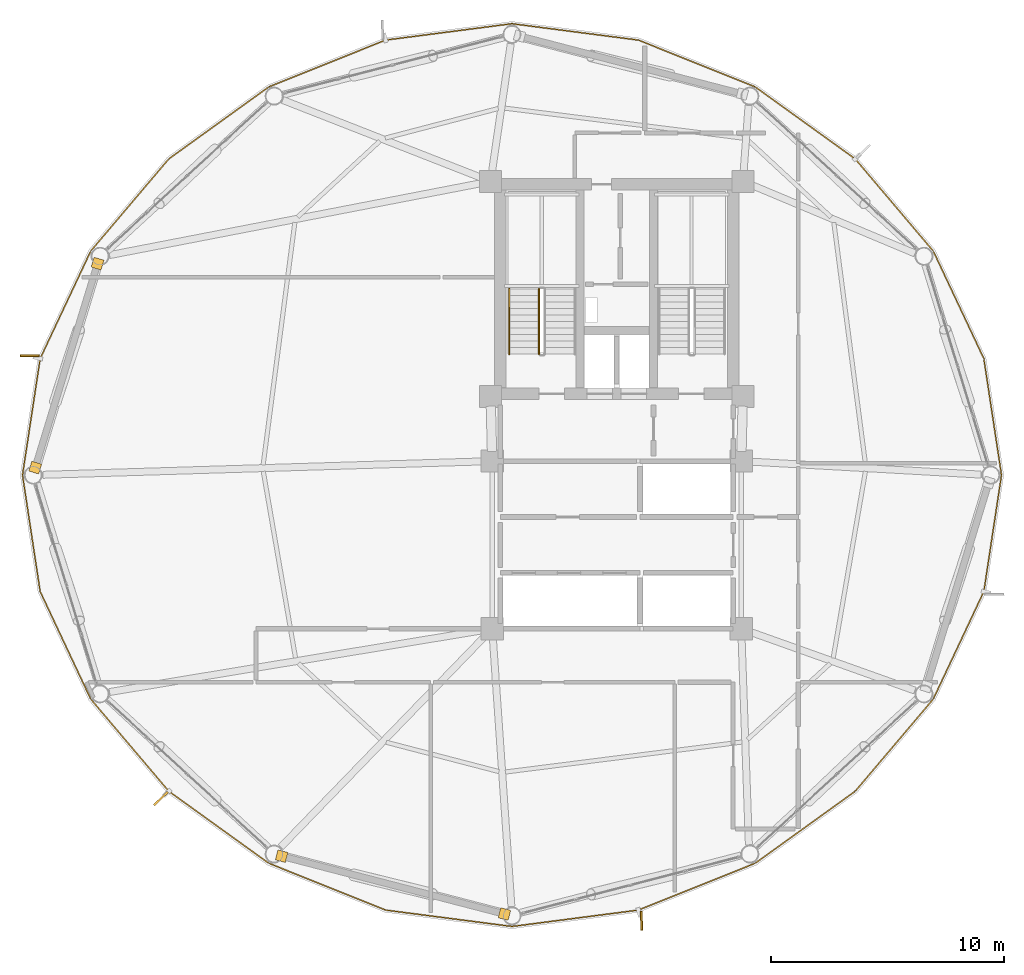
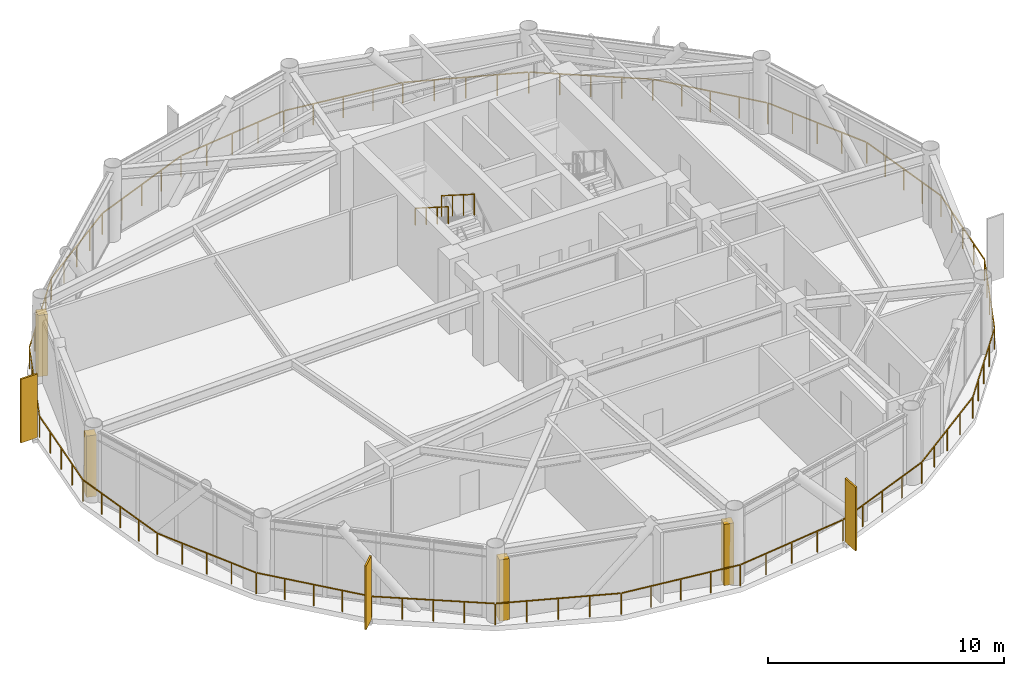
# One storey, part 22 of 24: 4 coverings, 3 railings, 3 shading devices.
"""IFC4 building model written with IfcOpenShell, lengths in metres."""

from ifc_helpers import new_model, si_unit, direction, frame, origin, origin_2d, place, context, subcontext, project, spatial, rectangle, extrude, source, transform, mapped, material, layer, layer_set, type_object, type_shapes, element, save


model = new_model("IFC4")

# Units and contexts
model_context = context("Model", 3, precision=1e-05, world=origin(), true_north=direction((0.0, 1.0)))
body_context = subcontext(model_context, "Body", "Model", "MODEL_VIEW")
ifc_project = project(units=[si_unit("LENGTHUNIT", "METRE"), si_unit("AREAUNIT", "SQUARE_METRE"), si_unit("VOLUMEUNIT", "CUBIC_METRE"), si_unit("PLANEANGLEUNIT", "RADIAN"), si_unit("MASSUNIT", "GRAM", prefix="KILO")], contexts=[model_context])

# Site, building, storey
site_placement = place(None, origin())
site = spatial("IfcSite", under=ifc_project, at=site_placement, CompositionType="ELEMENT")
building_placement = place(site_placement, origin())
building = spatial("IfcBuilding", under=site, at=building_placement, Name="Varnakorn Sky Granary", CompositionType="ELEMENT")
storey_placement = place(building_placement, frame((0.0, 0.0, 161.699951171875)))
storey = spatial("IfcBuildingStorey", under=building, at=storey_placement, Name="L40", CompositionType="ELEMENT", Elevation=161.699951171875)

# Railings
ifc_material_1 = material(Name="Anodised Bronze Aluminium Alloy 6063-T6", Category="aluminium")
railing_type_1 = type_object("IfcRailingType", Name="RL-BAL-1120", PredefinedType="BALUSTRADE", material=ifc_material_1)
railing_1_placement = place(storey_placement, frame((19.531982421875, 0.0, 0.0)))
element("IfcRailing", 1, at=railing_1_placement, inside=storey, type_object=railing_type_1, Name="Perimeter Slab-Edge Safety Guard L40", PredefinedType="BALUSTRADE", context=body_context, shape_type="SweptSolid", body=[
    extrude(rectangle(XDim=0.048095703125, YDim=0.048095703125, at=origin_2d()), frame((-0.004150390625, -0.027587890625, 1.09619140625), z_axis=(-0.149998257085, -0.988686261092, 0.0), x_axis=(0.988686261092, -0.149998257085, 0.0)), (0.0, 0.0, 1.0), 5.005859375),
    extrude(rectangle(XDim=0.048095703125, YDim=0.048095703125, at=origin_2d()), frame((-0.771240234375, -5.030029296875, 1.09619140625), z_axis=(-0.425529918755, -0.904944356435, 0.0), x_axis=(0.904944356435, -0.425529918755, 0.0)), (0.0, 0.0, 1.0), 5.05029296875),
    extrude(rectangle(XDim=0.048095703125, YDim=0.048095703125, at=origin_2d()), frame((-2.9501953125, -9.64697265625, 1.09619140625), z_axis=(-0.646279763762, -0.763100561494, 0.0), x_axis=(0.763100561494, -0.646279763762, 0.0)), (0.0, 0.0, 1.0), 5.131103515625),
    extrude(rectangle(XDim=0.048095703125, YDim=0.048095703125, at=origin_2d()), frame((-6.30712890625, -13.60009765625, 1.09619140625), z_axis=(-0.811506356452, -0.584343591937, 0.0), x_axis=(0.584343591937, -0.811506356452, 0.0)), (0.0, 0.0, 1.0), 5.2392578125),
    extrude(rectangle(XDim=0.048095703125, YDim=0.048095703125, at=origin_2d()), frame((-10.607421875, -16.6884765625, 1.09619140625), z_axis=(-0.928183637822, -0.37212247242, 0.0), x_axis=(0.37212247242, -0.928183637822, 0.0)), (0.0, 0.0, 1.0), 5.35009765625),
    extrude(rectangle(XDim=0.048095703125, YDim=0.048095703125, at=origin_2d()), frame((-15.627197265625, -18.693359375, 1.09619140625), z_axis=(-0.991694087252, -0.128618961703, 0.0), x_axis=(0.128618961703, -0.991694087252, 0.0)), (0.0, 0.0, 1.0), 5.422119140625),
    extrude(rectangle(XDim=0.048095703125, YDim=0.048095703125, at=origin_2d()), frame((-21.059814453125, -19.390625, 1.09619140625), z_axis=(-0.991694087252, 0.128618961703, 0.0), x_axis=(-0.128618961703, -0.991694087252, 0.0)), (0.0, 0.0, 1.0), 5.422119140625),
    extrude(rectangle(XDim=0.048095703125, YDim=0.048095703125, at=origin_2d()), frame((-26.490478515625, -18.67919921875, 1.09619140625), z_axis=(-0.928183637822, 0.37212247242, 0.0), x_axis=(-0.37212247242, -0.928183637822, 0.0)), (0.0, 0.0, 1.0), 5.35009765625),
    extrude(rectangle(XDim=0.048095703125, YDim=0.048095703125, at=origin_2d()), frame((-31.505126953125, -16.66162109375, 1.09619140625), z_axis=(-0.811506356452, 0.584343591937, 0.0), x_axis=(-0.584343591937, -0.811506356452, 0.0)), (0.0, 0.0, 1.0), 5.2392578125),
    extrude(rectangle(XDim=0.048095703125, YDim=0.048095703125, at=origin_2d()), frame((-35.797607421875, -13.562255859375, 1.09619140625), z_axis=(-0.646279763762, 0.763100561494, 0.0), x_axis=(-0.763100561494, -0.646279763762, 0.0)), (0.0, 0.0, 1.0), 5.131103515625),
    extrude(rectangle(XDim=0.048095703125, YDim=0.048095703125, at=origin_2d()), frame((-39.143798828125, -9.60009765625, 1.09619140625), z_axis=(-0.425529918755, 0.904944356435, 0.0), x_axis=(-0.904944356435, -0.425529918755, 0.0)), (0.0, 0.0, 1.0), 5.05029296875),
    extrude(rectangle(XDim=0.048095703125, YDim=0.048095703125, at=origin_2d()), frame((-41.308837890625, -4.97705078125, 1.09619140625), z_axis=(-0.149998257085, 0.988686261092, 0.0), x_axis=(-0.988686261092, -0.149998257085, 0.0)), (0.0, 0.0, 1.0), 5.005859375),
    extrude(rectangle(XDim=0.048095703125, YDim=0.048095703125, at=origin_2d()), frame((-42.059814453125, 0.027587890625, 1.09619140625), z_axis=(0.149998257085, 0.988686261092, 0.0), x_axis=(-0.988686261092, 0.149998257085, 0.0)), (0.0, 0.0, 1.0), 5.005859375),
    extrude(rectangle(XDim=0.048095703125, YDim=0.048095703125, at=origin_2d()), frame((-41.292724609375, 5.030029296875, 1.09619140625), z_axis=(0.425529918755, 0.904944356435, 0.0), x_axis=(-0.904944356435, 0.425529918755, 0.0)), (0.0, 0.0, 1.0), 5.05029296875),
    extrude(rectangle(XDim=0.048095703125, YDim=0.048095703125, at=origin_2d()), frame((-39.11376953125, 9.64697265625, 1.09619140625), z_axis=(0.646279763762, 0.763100561494, 0.0), x_axis=(-0.763100561494, 0.646279763762, 0.0)), (0.0, 0.0, 1.0), 5.131103515625),
    extrude(rectangle(XDim=0.048095703125, YDim=0.048095703125, at=origin_2d()), frame((-35.7568359375, 13.60009765625, 1.09619140625), z_axis=(0.811506356452, 0.584343591937, 0.0), x_axis=(-0.584343591937, 0.811506356452, 0.0)), (0.0, 0.0, 1.0), 5.2392578125),
    extrude(rectangle(XDim=0.048095703125, YDim=0.048095703125, at=origin_2d()), frame((-31.45654296875, 16.6884765625, 1.09619140625), z_axis=(0.928183637822, 0.37212247242, 0.0), x_axis=(-0.37212247242, 0.928183637822, 0.0)), (0.0, 0.0, 1.0), 5.35009765625),
    extrude(rectangle(XDim=0.048095703125, YDim=0.048095703125, at=origin_2d()), frame((-26.436767578125, 18.693359375, 1.09619140625), z_axis=(0.991694087252, 0.128618961703, 0.0), x_axis=(-0.128618961703, 0.991694087252, 0.0)), (0.0, 0.0, 1.0), 5.422119140625),
    extrude(rectangle(XDim=0.048095703125, YDim=0.048095703125, at=origin_2d()), frame((-21.004150390625, 19.390625, 1.09619140625), z_axis=(0.991694087252, -0.128618961703, 0.0), x_axis=(0.128618961703, 0.991694087252, 0.0)), (0.0, 0.0, 1.0), 5.422119140625),
    extrude(rectangle(XDim=0.048095703125, YDim=0.048095703125, at=origin_2d()), frame((-15.573486328125, 18.67919921875, 1.09619140625), z_axis=(0.928183637822, -0.37212247242, 0.0), x_axis=(0.37212247242, 0.928183637822, 0.0)), (0.0, 0.0, 1.0), 5.35009765625),
    extrude(rectangle(XDim=0.048095703125, YDim=0.048095703125, at=origin_2d()), frame((-10.558837890625, 16.66162109375, 1.09619140625), z_axis=(0.811506356452, -0.584343591937, 0.0), x_axis=(0.584343591937, 0.811506356452, 0.0)), (0.0, 0.0, 1.0), 5.2392578125),
    extrude(rectangle(XDim=0.048095703125, YDim=0.048095703125, at=origin_2d()), frame((-6.266357421875, 13.562255859375, 1.09619140625), z_axis=(0.646279763762, -0.763100561494, 0.0), x_axis=(0.763100561494, 0.646279763762, 0.0)), (0.0, 0.0, 1.0), 5.131103515625),
    extrude(rectangle(XDim=0.048095703125, YDim=0.048095703125, at=origin_2d()), frame((-2.920166015625, 9.60009765625, 1.09619140625), z_axis=(0.425529918755, -0.904944356435, 0.0), x_axis=(0.904944356435, 0.425529918755, 0.0)), (0.0, 0.0, 1.0), 5.05029296875),
    extrude(rectangle(XDim=0.048095703125, YDim=0.048095703125, at=origin_2d()), frame((-0.755126953125, 4.97705078125, 1.09619140625), z_axis=(0.149998257085, -0.988686261092, 0.0), x_axis=(0.988686261092, 0.149998257085, 0.0)), (0.0, 0.0, 1.0), 5.005859375),
    extrude(rectangle(XDim=0.0419921875, YDim=0.0419921875, at=origin_2d()), origin(), (0.0, 0.0, 1.0), 1.068115234375),
    extrude(rectangle(XDim=0.0419921875, YDim=0.0419921875, at=origin_2d()), frame((-0.18994140625, -1.251220703125, 0.0)), (0.0, 0.0, 1.0), 1.068115234375),
    extrude(rectangle(XDim=0.0419921875, YDim=0.0419921875, at=origin_2d()), frame((-0.379638671875, -2.50244140625, 0.0)), (0.0, 0.0, 1.0), 1.068115234375),
    extrude(rectangle(XDim=0.0419921875, YDim=0.0419921875, at=origin_2d()), frame((-0.5693359375, -3.75341796875, 0.0)), (0.0, 0.0, 1.0), 1.068115234375),
    extrude(rectangle(XDim=0.0419921875, YDim=0.0419921875, at=origin_2d()), frame((-0.75927734375, -5.004638671875, 0.0)), (0.0, 0.0, 1.0), 1.068115234375),
    extrude(rectangle(XDim=0.0419921875, YDim=0.0419921875, at=origin_2d()), frame((-1.302490234375, -6.159912109375, 0.0)), (0.0, 0.0, 1.0), 1.068115234375),
    extrude(rectangle(XDim=0.0419921875, YDim=0.0419921875, at=origin_2d()), frame((-1.845703125, -7.31494140625, 0.0)), (0.0, 0.0, 1.0), 1.068115234375),
    extrude(rectangle(XDim=0.0419921875, YDim=0.0419921875, at=origin_2d()), frame((-2.388916015625, -8.47021484375, 0.0)), (0.0, 0.0, 1.0), 1.068115234375),
    extrude(rectangle(XDim=0.0419921875, YDim=0.0419921875, at=origin_2d()), frame((-2.93212890625, -9.62548828125, 0.0)), (0.0, 0.0, 1.0), 1.068115234375),
    extrude(rectangle(XDim=0.0419921875, YDim=0.0419921875, at=origin_2d()), frame((-3.770263671875, -10.614990234375, 0.0)), (0.0, 0.0, 1.0), 1.068115234375),
    extrude(rectangle(XDim=0.0419921875, YDim=0.0419921875, at=origin_2d()), frame((-4.6083984375, -11.6044921875, 0.0)), (0.0, 0.0, 1.0), 1.068115234375),
    extrude(rectangle(XDim=0.0419921875, YDim=0.0419921875, at=origin_2d()), frame((-5.4462890625, -12.59423828125, 0.0)), (0.0, 0.0, 1.0), 1.068115234375),
    extrude(rectangle(XDim=0.0419921875, YDim=0.0419921875, at=origin_2d()), frame((-6.284423828125, -13.583740234375, 0.0)), (0.0, 0.0, 1.0), 1.068115234375),
    extrude(rectangle(XDim=0.0419921875, YDim=0.0419921875, at=origin_2d()), frame((-7.358642578125, -14.357421875, 0.0)), (0.0, 0.0, 1.0), 1.068115234375),
    extrude(rectangle(XDim=0.0419921875, YDim=0.0419921875, at=origin_2d()), frame((-8.43310546875, -15.130859375, 0.0)), (0.0, 0.0, 1.0), 1.068115234375),
    extrude(rectangle(XDim=0.0419921875, YDim=0.0419921875, at=origin_2d()), frame((-9.50732421875, -15.904296875, 0.0)), (0.0, 0.0, 1.0), 1.068115234375),
    extrude(rectangle(XDim=0.0419921875, YDim=0.0419921875, at=origin_2d()), frame((-10.58154296875, -16.677978515625, 0.0)), (0.0, 0.0, 1.0), 1.068115234375),
    extrude(rectangle(XDim=0.0419921875, YDim=0.0419921875, at=origin_2d()), frame((-11.8359375, -17.180908203125, 0.0)), (0.0, 0.0, 1.0), 1.068115234375),
    extrude(rectangle(XDim=0.0419921875, YDim=0.0419921875, at=origin_2d()), frame((-13.09033203125, -17.683837890625, 0.0)), (0.0, 0.0, 1.0), 1.068115234375),
    extrude(rectangle(XDim=0.0419921875, YDim=0.0419921875, at=origin_2d()), frame((-14.344970703125, -18.186767578125, 0.0)), (0.0, 0.0, 1.0), 1.068115234375),
    extrude(rectangle(XDim=0.0419921875, YDim=0.0419921875, at=origin_2d()), frame((-15.599365234375, -18.689697265625, 0.0)), (0.0, 0.0, 1.0), 1.068115234375),
    extrude(rectangle(XDim=0.0419921875, YDim=0.0419921875, at=origin_2d()), frame((-16.95751953125, -18.86572265625, 0.0)), (0.0, 0.0, 1.0), 1.068115234375),
    extrude(rectangle(XDim=0.0419921875, YDim=0.0419921875, at=origin_2d()), frame((-18.315673828125, -19.0419921875, 0.0)), (0.0, 0.0, 1.0), 1.068115234375),
    extrude(rectangle(XDim=0.0419921875, YDim=0.0419921875, at=origin_2d()), frame((-19.673828125, -19.21826171875, 0.0)), (0.0, 0.0, 1.0), 1.068115234375),
    extrude(rectangle(XDim=0.0419921875, YDim=0.0419921875, at=origin_2d()), frame((-21.031982421875, -19.394287109375, 0.0)), (0.0, 0.0, 1.0), 1.068115234375),
    extrude(rectangle(XDim=0.0419921875, YDim=0.0419921875, at=origin_2d()), frame((-22.39013671875, -19.21826171875, 0.0)), (0.0, 0.0, 1.0), 1.068115234375),
    extrude(rectangle(XDim=0.0419921875, YDim=0.0419921875, at=origin_2d()), frame((-23.748291015625, -19.0419921875, 0.0)), (0.0, 0.0, 1.0), 1.068115234375),
    extrude(rectangle(XDim=0.0419921875, YDim=0.0419921875, at=origin_2d()), frame((-25.1064453125, -18.86572265625, 0.0)), (0.0, 0.0, 1.0), 1.068115234375),
    extrude(rectangle(XDim=0.0419921875, YDim=0.0419921875, at=origin_2d()), frame((-26.464599609375, -18.689697265625, 0.0)), (0.0, 0.0, 1.0), 1.068115234375),
    extrude(rectangle(XDim=0.0419921875, YDim=0.0419921875, at=origin_2d()), frame((-27.718994140625, -18.186767578125, 0.0)), (0.0, 0.0, 1.0), 1.068115234375),
    extrude(rectangle(XDim=0.0419921875, YDim=0.0419921875, at=origin_2d()), frame((-28.9736328125, -17.683837890625, 0.0)), (0.0, 0.0, 1.0), 1.068115234375),
    extrude(rectangle(XDim=0.0419921875, YDim=0.0419921875, at=origin_2d()), frame((-30.22802734375, -17.180908203125, 0.0)), (0.0, 0.0, 1.0), 1.068115234375),
    extrude(rectangle(XDim=0.0419921875, YDim=0.0419921875, at=origin_2d()), frame((-31.482421875, -16.677978515625, 0.0)), (0.0, 0.0, 1.0), 1.068115234375),
    extrude(rectangle(XDim=0.0419921875, YDim=0.0419921875, at=origin_2d()), frame((-32.556640625, -15.904296875, 0.0)), (0.0, 0.0, 1.0), 1.068115234375),
    extrude(rectangle(XDim=0.0419921875, YDim=0.0419921875, at=origin_2d()), frame((-33.630859375, -15.130859375, 0.0)), (0.0, 0.0, 1.0), 1.068115234375),
    extrude(rectangle(XDim=0.0419921875, YDim=0.0419921875, at=origin_2d()), frame((-34.705322265625, -14.357421875, 0.0)), (0.0, 0.0, 1.0), 1.068115234375),
    extrude(rectangle(XDim=0.0419921875, YDim=0.0419921875, at=origin_2d()), frame((-35.779541015625, -13.583740234375, 0.0)), (0.0, 0.0, 1.0), 1.068115234375),
    extrude(rectangle(XDim=0.0419921875, YDim=0.0419921875, at=origin_2d()), frame((-36.61767578125, -12.59423828125, 0.0)), (0.0, 0.0, 1.0), 1.068115234375),
    extrude(rectangle(XDim=0.0419921875, YDim=0.0419921875, at=origin_2d()), frame((-37.45556640625, -11.6044921875, 0.0)), (0.0, 0.0, 1.0), 1.068115234375),
    extrude(rectangle(XDim=0.0419921875, YDim=0.0419921875, at=origin_2d()), frame((-38.293701171875, -10.614990234375, 0.0)), (0.0, 0.0, 1.0), 1.068115234375),
    extrude(rectangle(XDim=0.0419921875, YDim=0.0419921875, at=origin_2d()), frame((-39.1318359375, -9.62548828125, 0.0)), (0.0, 0.0, 1.0), 1.068115234375),
    extrude(rectangle(XDim=0.0419921875, YDim=0.0419921875, at=origin_2d()), frame((-39.675048828125, -8.47021484375, 0.0)), (0.0, 0.0, 1.0), 1.068115234375),
    extrude(rectangle(XDim=0.0419921875, YDim=0.0419921875, at=origin_2d()), frame((-40.21826171875, -7.31494140625, 0.0)), (0.0, 0.0, 1.0), 1.068115234375),
    extrude(rectangle(XDim=0.0419921875, YDim=0.0419921875, at=origin_2d()), frame((-40.761474609375, -6.159912109375, 0.0)), (0.0, 0.0, 1.0), 1.068115234375),
    extrude(rectangle(XDim=0.0419921875, YDim=0.0419921875, at=origin_2d()), frame((-41.3046875, -5.004638671875, 0.0)), (0.0, 0.0, 1.0), 1.068115234375),
    extrude(rectangle(XDim=0.0419921875, YDim=0.0419921875, at=origin_2d()), frame((-41.49462890625, -3.75341796875, 0.0)), (0.0, 0.0, 1.0), 1.068115234375),
    extrude(rectangle(XDim=0.0419921875, YDim=0.0419921875, at=origin_2d()), frame((-41.684326171875, -2.50244140625, 0.0)), (0.0, 0.0, 1.0), 1.068115234375),
    extrude(rectangle(XDim=0.0419921875, YDim=0.0419921875, at=origin_2d()), frame((-41.8740234375, -1.251220703125, 0.0)), (0.0, 0.0, 1.0), 1.068115234375),
    extrude(rectangle(XDim=0.0419921875, YDim=0.0419921875, at=origin_2d()), frame((-42.06396484375, 0.0, 0.0)), (0.0, 0.0, 1.0), 1.068115234375),
    extrude(rectangle(XDim=0.0419921875, YDim=0.0419921875, at=origin_2d()), frame((-41.8740234375, 1.251220703125, 0.0)), (0.0, 0.0, 1.0), 1.068115234375),
    extrude(rectangle(XDim=0.0419921875, YDim=0.0419921875, at=origin_2d()), frame((-41.684326171875, 2.50244140625, 0.0)), (0.0, 0.0, 1.0), 1.068115234375),
    extrude(rectangle(XDim=0.0419921875, YDim=0.0419921875, at=origin_2d()), frame((-41.49462890625, 3.75341796875, 0.0)), (0.0, 0.0, 1.0), 1.068115234375),
    extrude(rectangle(XDim=0.0419921875, YDim=0.0419921875, at=origin_2d()), frame((-41.3046875, 5.004638671875, 0.0)), (0.0, 0.0, 1.0), 1.068115234375),
    extrude(rectangle(XDim=0.0419921875, YDim=0.0419921875, at=origin_2d()), frame((-40.761474609375, 6.159912109375, 0.0)), (0.0, 0.0, 1.0), 1.068115234375),
    extrude(rectangle(XDim=0.0419921875, YDim=0.0419921875, at=origin_2d()), frame((-40.21826171875, 7.31494140625, 0.0)), (0.0, 0.0, 1.0), 1.068115234375),
    extrude(rectangle(XDim=0.0419921875, YDim=0.0419921875, at=origin_2d()), frame((-39.675048828125, 8.47021484375, 0.0)), (0.0, 0.0, 1.0), 1.068115234375),
    extrude(rectangle(XDim=0.0419921875, YDim=0.0419921875, at=origin_2d()), frame((-39.1318359375, 9.62548828125, 0.0)), (0.0, 0.0, 1.0), 1.068115234375),
    extrude(rectangle(XDim=0.0419921875, YDim=0.0419921875, at=origin_2d()), frame((-38.293701171875, 10.614990234375, 0.0)), (0.0, 0.0, 1.0), 1.068115234375),
    extrude(rectangle(XDim=0.0419921875, YDim=0.0419921875, at=origin_2d()), frame((-37.45556640625, 11.6044921875, 0.0)), (0.0, 0.0, 1.0), 1.068115234375),
    extrude(rectangle(XDim=0.0419921875, YDim=0.0419921875, at=origin_2d()), frame((-36.61767578125, 12.59423828125, 0.0)), (0.0, 0.0, 1.0), 1.068115234375),
    extrude(rectangle(XDim=0.0419921875, YDim=0.0419921875, at=origin_2d()), frame((-35.779541015625, 13.583740234375, 0.0)), (0.0, 0.0, 1.0), 1.068115234375),
    extrude(rectangle(XDim=0.0419921875, YDim=0.0419921875, at=origin_2d()), frame((-34.705322265625, 14.357421875, 0.0)), (0.0, 0.0, 1.0), 1.068115234375),
    extrude(rectangle(XDim=0.0419921875, YDim=0.0419921875, at=origin_2d()), frame((-33.630859375, 15.130859375, 0.0)), (0.0, 0.0, 1.0), 1.068115234375),
    extrude(rectangle(XDim=0.0419921875, YDim=0.0419921875, at=origin_2d()), frame((-32.556640625, 15.904296875, 0.0)), (0.0, 0.0, 1.0), 1.068115234375),
    extrude(rectangle(XDim=0.0419921875, YDim=0.0419921875, at=origin_2d()), frame((-31.482421875, 16.677978515625, 0.0)), (0.0, 0.0, 1.0), 1.068115234375),
    extrude(rectangle(XDim=0.0419921875, YDim=0.0419921875, at=origin_2d()), frame((-30.22802734375, 17.180908203125, 0.0)), (0.0, 0.0, 1.0), 1.068115234375),
    extrude(rectangle(XDim=0.0419921875, YDim=0.0419921875, at=origin_2d()), frame((-28.9736328125, 17.683837890625, 0.0)), (0.0, 0.0, 1.0), 1.068115234375),
    extrude(rectangle(XDim=0.0419921875, YDim=0.0419921875, at=origin_2d()), frame((-27.718994140625, 18.186767578125, 0.0)), (0.0, 0.0, 1.0), 1.068115234375),
    extrude(rectangle(XDim=0.0419921875, YDim=0.0419921875, at=origin_2d()), frame((-26.464599609375, 18.689697265625, 0.0)), (0.0, 0.0, 1.0), 1.068115234375),
    extrude(rectangle(XDim=0.0419921875, YDim=0.0419921875, at=origin_2d()), frame((-25.1064453125, 18.86572265625, 0.0)), (0.0, 0.0, 1.0), 1.068115234375),
    extrude(rectangle(XDim=0.0419921875, YDim=0.0419921875, at=origin_2d()), frame((-23.748291015625, 19.0419921875, 0.0)), (0.0, 0.0, 1.0), 1.068115234375),
    extrude(rectangle(XDim=0.0419921875, YDim=0.0419921875, at=origin_2d()), frame((-22.39013671875, 19.21826171875, 0.0)), (0.0, 0.0, 1.0), 1.068115234375),
    extrude(rectangle(XDim=0.0419921875, YDim=0.0419921875, at=origin_2d()), frame((-21.031982421875, 19.394287109375, 0.0)), (0.0, 0.0, 1.0), 1.068115234375),
    extrude(rectangle(XDim=0.0419921875, YDim=0.0419921875, at=origin_2d()), frame((-19.673828125, 19.21826171875, 0.0)), (0.0, 0.0, 1.0), 1.068115234375),
    extrude(rectangle(XDim=0.0419921875, YDim=0.0419921875, at=origin_2d()), frame((-18.315673828125, 19.0419921875, 0.0)), (0.0, 0.0, 1.0), 1.068115234375),
    extrude(rectangle(XDim=0.0419921875, YDim=0.0419921875, at=origin_2d()), frame((-16.95751953125, 18.86572265625, 0.0)), (0.0, 0.0, 1.0), 1.068115234375),
    extrude(rectangle(XDim=0.0419921875, YDim=0.0419921875, at=origin_2d()), frame((-15.599365234375, 18.689697265625, 0.0)), (0.0, 0.0, 1.0), 1.068115234375),
    extrude(rectangle(XDim=0.0419921875, YDim=0.0419921875, at=origin_2d()), frame((-14.344970703125, 18.186767578125, 0.0)), (0.0, 0.0, 1.0), 1.068115234375),
    extrude(rectangle(XDim=0.0419921875, YDim=0.0419921875, at=origin_2d()), frame((-13.09033203125, 17.683837890625, 0.0)), (0.0, 0.0, 1.0), 1.068115234375),
    extrude(rectangle(XDim=0.0419921875, YDim=0.0419921875, at=origin_2d()), frame((-11.8359375, 17.180908203125, 0.0)), (0.0, 0.0, 1.0), 1.068115234375),
    extrude(rectangle(XDim=0.0419921875, YDim=0.0419921875, at=origin_2d()), frame((-10.58154296875, 16.677978515625, 0.0)), (0.0, 0.0, 1.0), 1.068115234375),
    extrude(rectangle(XDim=0.0419921875, YDim=0.0419921875, at=origin_2d()), frame((-9.50732421875, 15.904296875, 0.0)), (0.0, 0.0, 1.0), 1.068115234375),
    extrude(rectangle(XDim=0.0419921875, YDim=0.0419921875, at=origin_2d()), frame((-8.43310546875, 15.130859375, 0.0)), (0.0, 0.0, 1.0), 1.068115234375),
    extrude(rectangle(XDim=0.0419921875, YDim=0.0419921875, at=origin_2d()), frame((-7.358642578125, 14.357421875, 0.0)), (0.0, 0.0, 1.0), 1.068115234375),
    extrude(rectangle(XDim=0.0419921875, YDim=0.0419921875, at=origin_2d()), frame((-6.284423828125, 13.583740234375, 0.0)), (0.0, 0.0, 1.0), 1.068115234375),
    extrude(rectangle(XDim=0.0419921875, YDim=0.0419921875, at=origin_2d()), frame((-5.4462890625, 12.59423828125, 0.0)), (0.0, 0.0, 1.0), 1.068115234375),
    extrude(rectangle(XDim=0.0419921875, YDim=0.0419921875, at=origin_2d()), frame((-4.6083984375, 11.6044921875, 0.0)), (0.0, 0.0, 1.0), 1.068115234375),
    extrude(rectangle(XDim=0.0419921875, YDim=0.0419921875, at=origin_2d()), frame((-3.770263671875, 10.614990234375, 0.0)), (0.0, 0.0, 1.0), 1.068115234375),
    extrude(rectangle(XDim=0.0419921875, YDim=0.0419921875, at=origin_2d()), frame((-2.93212890625, 9.62548828125, 0.0)), (0.0, 0.0, 1.0), 1.068115234375),
    extrude(rectangle(XDim=0.0419921875, YDim=0.0419921875, at=origin_2d()), frame((-2.388916015625, 8.47021484375, 0.0)), (0.0, 0.0, 1.0), 1.068115234375),
    extrude(rectangle(XDim=0.0419921875, YDim=0.0419921875, at=origin_2d()), frame((-1.845703125, 7.31494140625, 0.0)), (0.0, 0.0, 1.0), 1.068115234375),
    extrude(rectangle(XDim=0.0419921875, YDim=0.0419921875, at=origin_2d()), frame((-1.302490234375, 6.159912109375, 0.0)), (0.0, 0.0, 1.0), 1.068115234375),
    extrude(rectangle(XDim=0.0419921875, YDim=0.0419921875, at=origin_2d()), frame((-0.75927734375, 5.004638671875, 0.0)), (0.0, 0.0, 1.0), 1.068115234375),
    extrude(rectangle(XDim=0.0419921875, YDim=0.0419921875, at=origin_2d()), frame((-0.5693359375, 3.75341796875, 0.0)), (0.0, 0.0, 1.0), 1.068115234375),
    extrude(rectangle(XDim=0.0419921875, YDim=0.0419921875, at=origin_2d()), frame((-0.379638671875, 2.50244140625, 0.0)), (0.0, 0.0, 1.0), 1.068115234375),
    extrude(rectangle(XDim=0.0419921875, YDim=0.0419921875, at=origin_2d()), frame((-0.18994140625, 1.251220703125, 0.0)), (0.0, 0.0, 1.0), 1.068115234375),
])
ifc_material_2 = material(Name="Brushed Stainless Steel 316", Category="steel")
railing_type_2 = type_object("IfcRailingType", Name="RL-STAIR-1100", PredefinedType="GUARDRAIL", material=ifc_material_2)
railing_2_placement = place(storey_placement, frame((-0.340087890625, 8.0, 2.12744140625)))
element("IfcRailing", 2, at=railing_2_placement, inside=storey, type_object=railing_type_2, Name="L40 ST-1 stair guard 3", PredefinedType="GUARDRAIL", context=body_context, shape_type="SweptSolid", body=[
    extrude(rectangle(XDim=0.048095703125, YDim=0.048095703125, at=origin_2d()), frame((0.0, 0.0, 1.076171875), z_axis=(0.0, -0.844908973607, 0.534910110503), x_axis=(1.0, 0.0, 0.0)), (0.0, 0.0, 1.0), 3.31396484375),
    extrude(rectangle(XDim=0.0419921875, YDim=0.0419921875, at=origin_2d()), origin(), (0.0, 0.0, 1.0), 1.048095703125),
    extrude(rectangle(XDim=0.0419921875, YDim=0.0419921875, at=origin_2d()), frame((0.0, -0.933349609375, 0.5908203125)), (0.0, 0.0, 1.0), 1.048095703125),
    extrude(rectangle(XDim=0.0419921875, YDim=0.0419921875, at=origin_2d()), frame((0.0, -1.86669921875, 1.181884765625)), (0.0, 0.0, 1.0), 1.048095703125),
    extrude(rectangle(XDim=0.0419921875, YDim=0.0419921875, at=origin_2d()), frame((0.0, -2.800048828125, 1.772705078125)), (0.0, 0.0, 1.0), 1.048095703125),
])
railing_type_3 = type_object("IfcRailingType", Name="RL-STAIR-920", PredefinedType="HANDRAIL", material=ifc_material_2)
railing_3_placement = place(storey_placement, frame((-1.6201171875, 8.0, 2.12744140625)))
element("IfcRailing", 3, at=railing_3_placement, inside=storey, type_object=railing_type_3, Name="L40 ST-1 stair handrail 2", PredefinedType="HANDRAIL", context=body_context, shape_type="SweptSolid", body=[
    extrude(rectangle(XDim=0.048095703125, YDim=0.048095703125, at=origin_2d()), frame((0.0, 0.0, 0.8759765625), z_axis=(0.0, -0.844908973607, 0.534910110503), x_axis=(1.0, 0.0, 0.0)), (0.0, 0.0, 1.0), 3.31396484375),
    extrude(rectangle(XDim=0.0419921875, YDim=0.0419921875, at=origin_2d()), origin(), (0.0, 0.0, 1.0), 0.847900390625),
    extrude(rectangle(XDim=0.0419921875, YDim=0.0419921875, at=origin_2d()), frame((0.0, -0.933349609375, 0.5908203125)), (0.0, 0.0, 1.0), 0.847900390625),
    extrude(rectangle(XDim=0.0419921875, YDim=0.0419921875, at=origin_2d()), frame((0.0, -1.86669921875, 1.181884765625)), (0.0, 0.0, 1.0), 0.847900390625),
    extrude(rectangle(XDim=0.0419921875, YDim=0.0419921875, at=origin_2d()), frame((0.0, -2.800048828125, 1.772705078125)), (0.0, 0.0, 1.0), 0.847900390625),
])

# Shading devices
shading_device_type = type_object("IfcShadingDeviceType", Name="SH-FIN-02", PredefinedType="USERDEFINED", material=ifc_material_1)
shared_shape_1 = source(origin(), body_context, "Body", "SweptSolid", [
    extrude(rectangle(XDim=0.0849609375, YDim=0.820068359375, at=origin_2d()), origin(), (0.0, 0.0, 1.0), 3.300048828125),
])
type_shapes(shading_device_type, [shared_shape_1])
for number, where, z_axis, x_axis, name in (
    (4, (-22.229248046875, 5.12060546875, -0.0400390625), (0.0, 0.0, 1.0), (0.00496233357, -0.999987687547, 0.0), "Bronze Solar-Tracking Vertical Blade FIN L40-06"),
    (5, (-16.591552734375, -13.90478515625, -0.0400390625), (0.0, 0.0, 1.0), (0.694205365048, -0.719776987086, 0.0), "Bronze Solar-Tracking Vertical Blade FIN L40-08"),
    (6, (4.063720703125, -19.141845703125, -0.0400390625), (0.0, 0.0, 1.0), (0.998890265126, 0.047098176571, 0.0), "Bronze Solar-Tracking Vertical Blade FIN L40-10"),
):
    element("IfcShadingDevice", number, at=place(storey_placement, frame(where, z_axis=z_axis, x_axis=x_axis)), inside=storey, type_object=shading_device_type, Name=name, ObjectType="FIN", PredefinedType="USERDEFINED", context=body_context, shape_type="MappedRepresentation", body=[
        mapped(shared_shape_1, transform((0.0, 0.0, 0.0), x_axis=(1.0, 0.0, 0.0), y_axis=(0.0, 1.0, 0.0), z_axis=(0.0, 0.0, 1.0), scale=1.0)),
    ])

# Coverings
ifc_layer = layer(ifc_material_1, 0.050048828125, Name="Anodised Bronze Aluminium Alloy 6063-T6")
ifc_layer_set = layer_set([ifc_layer], Name="Anodised Bronze Aluminium Alloy 6063-T6")
covering_type = type_object("IfcCoveringType", Name="CV-CLAD-50", PredefinedType="CLADDING", material=ifc_layer_set)
shared_shape_2 = source(origin(), body_context, "Body", "SweptSolid", [
    extrude(rectangle(XDim=0.43994140625, YDim=0.43994140625, at=origin_2d()), origin(), (0.0, 0.0, 1.0), 3.179931640625),
])
type_shapes(covering_type, [shared_shape_2])
for number, where, z_axis, x_axis, name in (
    (7, (-21.98486328125, 0.3212890625, -0.02001953125), (0.0, 0.0, 1.0), (0.292371704723, 0.956304755963, 0.0), "Bronze Corner Pilaster Closure L40-P06-A"),
    (8, (-19.306640625, 9.083740234375, -0.02001953125), (0.0, 0.0, 1.0), (0.292371704723, 0.956304755963, 0.0), "Bronze Corner Pilaster Closure L40-P06-B"),
    (9, (-1.8251953125, -18.860595703125, -0.02001953125), (0.0, 0.0, 1.0), (-0.967884912253, 0.251393708421, 0.0), "Bronze Corner Pilaster Closure L40-P09-A"),
    (10, (-11.398681640625, -16.37451171875, -0.02001953125), (0.0, 0.0, 1.0), (-0.967884912253, 0.251393708421, 0.0), "Bronze Corner Pilaster Closure L40-P09-B"),
):
    element("IfcCovering", number, at=place(storey_placement, frame(where, z_axis=z_axis, x_axis=x_axis)), inside=storey, type_object=covering_type, Name=name, PredefinedType="CLADDING", context=body_context, shape_type="MappedRepresentation", body=[
        mapped(shared_shape_2, transform((0.0, 0.0, 0.0), x_axis=(1.0, 0.0, 0.0), y_axis=(0.0, 1.0, 0.0), z_axis=(0.0, 0.0, 1.0), scale=1.0)),
    ])

save(model, "model.ifc")
